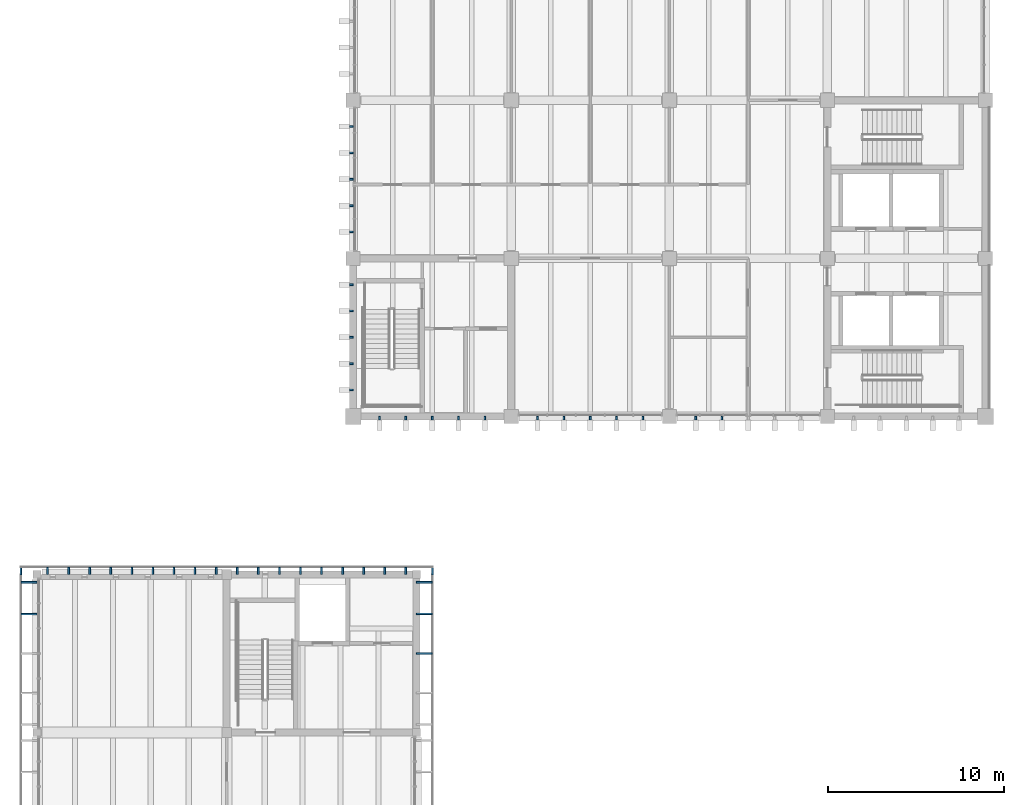
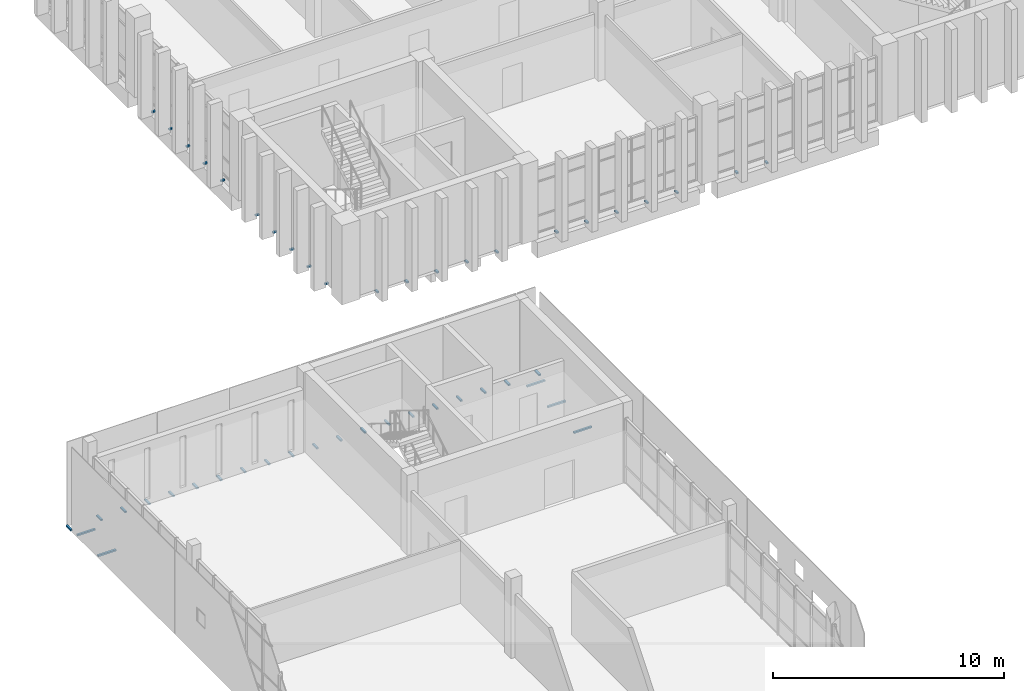
# One storey, part 38 of 50: 47 discrete accessories.
"""IFC4 building model written with IfcOpenShell, lengths in metres."""

import ifcopenshell
import ifcopenshell.guid

model = None  # the IFC model being written
_history = None  # IfcOwnerHistory: only IFC2X3 demands one
_inside = {}  # id of a spatial element -> (the spatial element, [elements in it])
_under = {}  # id of a project, library or spatial element -> (it, [spatial elements below it])
_declared = {}  # id of a project -> (the project, [libraries it declares])
_typed = {}  # id of a type object -> (the type object, [elements of that type])
_made_of = {}  # id of a material, layer set ... -> (it, [elements and type objects made of it])


def new_model(schema):
    """Start an empty IFC model of exactly this schema.

    Asked for "IFC4X3", IfcOpenShell would pick the latest addendum, in which some entities
    have other attributes; the version numbers below select the first issue.
    IFC2X3 requires an IfcOwnerHistory on every rooted entity: one is made here for all.
    """
    global model, _history
    if schema == "IFC4X3":
        model = ifcopenshell.file(schema_version=(4, 3, 0, 0))
    else:
        model = ifcopenshell.file(schema=schema)
    _inside.clear()
    _under.clear()
    _declared.clear()
    _typed.clear()
    _made_of.clear()
    _history = None
    if model.schema == "IFC2X3":
        org = make("IfcOrganization", Name="unknown")
        user = make(
            "IfcPersonAndOrganization",
            ThePerson=make("IfcPerson", FamilyName="unknown"),
            TheOrganization=org,
        )
        app = make(
            "IfcApplication",
            ApplicationDeveloper=org,
            Version="unknown",
            ApplicationFullName="unknown",
            ApplicationIdentifier="unknown",
        )
        _history = make(
            "IfcOwnerHistory",
            OwningUser=user,
            OwningApplication=app,
            ChangeAction="ADDED",
            CreationDate=0,
        )
    return model


def make(cls, **values):
    """One entity of the class cls with the attributes given. An attribute that is None is left unset."""
    return model.create_entity(
        cls, **{name: value for name, value in values.items() if value is not None}
    )


def rooted(cls, **values):
    """An entity with a GlobalId (a new one), such as an element, a storey or a relation."""
    return make(cls, GlobalId=ifcopenshell.guid.new(), OwnerHistory=_history, **values)


def si_unit(unit_type, name, prefix=None):
    """IfcSIUnit, for example si_unit("LENGTHUNIT", "METRE", prefix="MILLI")."""
    return make("IfcSIUnit", UnitType=unit_type, Prefix=prefix, Name=name)


def assignment(units):
    """IfcUnitAssignment: the units of a project."""
    return None if units is None else make("IfcUnitAssignment", Units=units)


def point(xyz):
    """IfcCartesianPoint."""
    return None if xyz is None else make("IfcCartesianPoint", Coordinates=xyz)


def direction(xyz):
    """IfcDirection."""
    return None if xyz is None else make("IfcDirection", DirectionRatios=xyz)


def frame(location, z_axis=None, x_axis=None):
    """IfcAxis2Placement3D, a coordinate frame: its origin and axes. An axis left out is left unset."""
    return make(
        "IfcAxis2Placement3D",
        Location=point(location),
        Axis=direction(z_axis),
        RefDirection=direction(x_axis),
    )


def origin():
    """The frame at (0, 0, 0) with its axes left unset."""
    return frame((0.0, 0.0, 0.0))


def place(relative_to, where):
    """IfcLocalPlacement: puts the frame where relative to a parent placement (None: the world)."""
    return make(
        "IfcLocalPlacement", PlacementRelTo=relative_to, RelativePlacement=where
    )


def context(
    kind, dimensions, precision=None, world=None, true_north=None, identifier=None
):
    """IfcGeometricRepresentationContext, for example the 3D "Model" context."""
    return make(
        "IfcGeometricRepresentationContext",
        ContextIdentifier=identifier,
        ContextType=kind,
        CoordinateSpaceDimension=dimensions,
        Precision=precision,
        WorldCoordinateSystem=world,
        TrueNorth=true_north,
    )


def subcontext(parent, identifier, kind, view, scale=None):
    """IfcGeometricRepresentationSubContext, for example "Body" below "Model"."""
    return make(
        "IfcGeometricRepresentationSubContext",
        ContextIdentifier=identifier,
        ContextType=kind,
        ParentContext=parent,
        TargetScale=scale,
        TargetView=view,
    )


def project(units=None, contexts=None):
    """IfcProject with its units and contexts."""
    return rooted(
        "IfcProject",
        Name="project",
        RepresentationContexts=contexts,
        UnitsInContext=assignment(units),
    )


def spatial(cls, under=None, at=None, **own):
    """A site, building, storey or space (cls), placed at a placement, below another one or the project."""
    s = rooted(cls, ObjectPlacement=at, **own)
    if under is not None:
        _under.setdefault(under.id(), (under, []))[1].append(s)
    return s


def polyline(points):
    """IfcPolyline through the points."""
    return make("IfcPolyline", Points=[point(p) for p in points])


def outline(outer, holes=None, kind="AREA"):
    """IfcArbitraryClosedProfileDef: a profile drawn as a closed curve; with holes, ...WithVoids."""
    if holes is None:
        return make("IfcArbitraryClosedProfileDef", ProfileType=kind, OuterCurve=outer)
    return make(
        "IfcArbitraryProfileDefWithVoids",
        ProfileType=kind,
        OuterCurve=outer,
        InnerCurves=holes,
    )


def extrude(swept, where, along, depth):
    """IfcExtrudedAreaSolid: the profile swept, set in the frame where, extruded along a direction by depth."""
    return make(
        "IfcExtrudedAreaSolid",
        SweptArea=swept,
        Position=where,
        ExtrudedDirection=direction(along),
        Depth=depth,
    )


def shape(context_of_items, identifier, shape_type, items):
    """IfcShapeRepresentation: the items that make up one representation, for example the "Body"."""
    return make(
        "IfcShapeRepresentation",
        ContextOfItems=context_of_items,
        RepresentationIdentifier=identifier,
        RepresentationType=shape_type,
        Items=items,
    )


def source(mapping_origin, context_of_items, identifier, shape_type, items):
    """IfcRepresentationMap: a shape defined once, which mapped items show again and again."""
    return make(
        "IfcRepresentationMap",
        MappingOrigin=mapping_origin,
        MappedRepresentation=shape(context_of_items, identifier, shape_type, items),
    )


def transform(
    local_origin,
    x_axis=None,
    y_axis=None,
    z_axis=None,
    scale=None,
    scale2=None,
    scale3=None,
    uniform=True,
):
    """IfcCartesianTransformationOperator3D, or its non-uniform kind. x_axis, y_axis, z_axis: its Axis1, 2, 3."""
    if uniform:
        return make(
            "IfcCartesianTransformationOperator3D",
            Axis1=direction(x_axis),
            Axis2=direction(y_axis),
            LocalOrigin=point(local_origin),
            Scale=scale,
            Axis3=direction(z_axis),
        )
    return make(
        "IfcCartesianTransformationOperator3DnonUniform",
        Axis1=direction(x_axis),
        Axis2=direction(y_axis),
        LocalOrigin=point(local_origin),
        Scale=scale,
        Axis3=direction(z_axis),
        Scale2=scale2,
        Scale3=scale3,
    )


def mapped(mapping_source, mapping_target):
    """IfcMappedItem: shows the shape of a source again, moved by a transform."""
    return make(
        "IfcMappedItem", MappingSource=mapping_source, MappingTarget=mapping_target
    )


def material(Name=None, Category=None):
    """IfcMaterial."""
    return make("IfcMaterial", Name=Name, Category=Category)


def made_of(thing, what):
    """Note that an element or type object is made of a material, layer set ...; save() writes the relation."""
    if what is not None:
        _made_of.setdefault(what.id(), (what, []))[1].append(thing)
    return thing


def type_object(cls, material=None, **own):
    """A type object (cls), such as IfcWallType, which elements share."""
    return made_of(rooted(cls, **own), material)


def element(
    cls,
    number,
    at=None,
    inside=None,
    cuts=None,
    type_object=None,
    material=None,
    context=None,
    identifier="Body",
    shape_type=None,
    held_by="IfcProductDefinitionShape",
    body=None,
    shapes=None,
    **own,
):
    """One element of the class cls, such as IfcWall. Its Tag is "e" and its number.

    at: its placement. inside: the storey or other place that contains it. cuts: it is an
    opening in that element (IfcRelVoidsElement). A single representation is given by context,
    identifier, shape_type and body (its items); several are given by shapes. held_by: the class
    of the entity that holds the representations. save() writes the other relations.
    """
    e = rooted(cls, Tag="e%d" % number, ObjectPlacement=at, **own)
    if body is not None:
        shapes = [shape(context, identifier, shape_type, body)]
    if shapes is not None:
        e.Representation = make(held_by, Representations=shapes)
    if inside is not None:
        _inside.setdefault(inside.id(), (inside, []))[1].append(e)
    if cuts is not None:
        rooted(
            "IfcRelVoidsElement", RelatingBuildingElement=cuts, RelatedOpeningElement=e
        )
    if type_object is not None:
        _typed.setdefault(type_object.id(), (type_object, []))[1].append(e)
    return made_of(e, material)


def aggregate(whole, parts):
    """IfcRelAggregates: a whole, such as a stair, and the parts it consists of."""
    return rooted("IfcRelAggregates", RelatingObject=whole, RelatedObjects=parts)


def save(model, path):
    """Write the relations noted so far, then the file.

    IfcRelAggregates (storeys below a building ...), IfcRelContainedInSpatialStructure (elements
    in a storey), IfcRelDefinesByType, IfcRelAssociatesMaterial and IfcRelDeclares: one each for
    every whole, place, type object, material and project.
    """
    for whole, parts in _under.values():
        aggregate(whole, parts)
    for where, things in _inside.values():
        rooted(
            "IfcRelContainedInSpatialStructure",
            RelatedElements=things,
            RelatingStructure=where,
        )
    for kind, things in _typed.values():
        rooted("IfcRelDefinesByType", RelatedObjects=things, RelatingType=kind)
    for what, things in _made_of.values():
        rooted("IfcRelAssociatesMaterial", RelatedObjects=things, RelatingMaterial=what)
    for by, libraries in _declared.values():
        rooted("IfcRelDeclares", RelatingContext=by, RelatedDefinitions=libraries)
    model.write(path)


model = new_model("IFC4")

# Units and contexts
model_context = context("Model", 3, precision=1e-05, world=origin(), true_north=direction((0.0, 1.0)))
body_context = subcontext(model_context, "Body", "Model", "MODEL_VIEW")
ifc_project = project(units=[si_unit("LENGTHUNIT", "METRE"), si_unit("AREAUNIT", "SQUARE_METRE"), si_unit("VOLUMEUNIT", "CUBIC_METRE"), si_unit("PLANEANGLEUNIT", "RADIAN"), si_unit("MASSUNIT", "GRAM", prefix="KILO")], contexts=[model_context])

# Site, building, storey
site_placement = place(None, origin())
site = spatial("IfcSite", under=ifc_project, at=site_placement, CompositionType="ELEMENT")
building_placement = place(site_placement, origin())
building = spatial("IfcBuilding", under=site, at=building_placement, Name="Merrow Basin Faculty of Sciences", CompositionType="ELEMENT")
storey_placement = place(building_placement, frame((0.0, 0.0, 18.0)))
storey = spatial("IfcBuildingStorey", under=building, at=storey_placement, Name="L04", CompositionType="ELEMENT", Elevation=18.0)

# Discrete accessories
ifc_material_1 = material(Name="Steel ASTM A572 Gr 50", Category="steel")
discrete_accessory_type_1 = type_object("IfcDiscreteAccessoryType", Name="Steel T bracket 100 x 80", PredefinedType="BRACKET", material=ifc_material_1)
shared_shape_1 = source(origin(), body_context, "Body", "SweptSolid", [
    extrude(outline(polyline([(0.0, 0.0), (0.10009765625, 0.0), (0.10009765625, 0.080078125), (0.0, 0.080078125), (0.0, 0.0)])), origin(), (0.0, 0.0, 1.0), 0.89990234375),
])
for number, where, z_axis, x_axis, name in (
    (1, (-0.89990234375, 130.699951171875, -0.2900390625), (1.0, 0.0, 0.0), (0.0, 1.0, 0.0), "Bracket WL04-08"),
    (2, (-0.89990234375, 132.5, -0.2900390625), (1.0, 0.0, 0.0), (0.0, 1.0, 0.0), "Bracket WL04-08"),
    (3, (22.5, 132.60009765625, -0.2900390625), (-1.0, 0.0, 0.0), (0.0, -1.0, 0.0), "Bracket EL04-08"),
    (4, (22.5, 130.800048828125, -0.2900390625), (-1.0, 0.0, 0.0), (0.0, -1.0, 0.0), "Bracket EL04-08"),
    (5, (22.5, 128.550048828125, -0.2900390625), (-1.0, 0.0, 0.0), (0.0, -1.0, 0.0), "Bracket EL04-08"),
):
    element("IfcDiscreteAccessory", number, at=place(storey_placement, frame(where, z_axis=z_axis, x_axis=x_axis)), inside=storey, type_object=discrete_accessory_type_1, Name=name, PredefinedType="BRACKET", context=body_context, shape_type="MappedRepresentation", body=[
        mapped(shared_shape_1, transform((0.0, 0.0, 0.0), scale=1.0)),
    ])
ifc_material_2 = material(Name="Steel ASTM A572 Gr 50", Category="steel")
discrete_accessory_type_2 = type_object("IfcDiscreteAccessoryType", Name="Steel T bracket 100 x 80 corner", PredefinedType="BRACKET", material=ifc_material_2)
shared_shape_2 = source(origin(), body_context, "Body", "SweptSolid", [
    extrude(outline(polyline([(0.0, 0.0), (0.10009765625, 0.0), (0.10009765625, 0.080078125), (0.0, 0.080078125), (0.0, 0.0)])), origin(), (0.0, 0.0, 1.0), 0.419921875),
])
for number, where, z_axis, x_axis, name in (
    (6, (-0.969970703125, 133.39990234375, -0.2900390625), (0.0, -1.0, 0.0), (1.0, 0.0, 0.0), "End corner bracket NL04-01"),
    (7, (22.469970703125, 133.39990234375, -0.2900390625), (0.0, -1.0, 0.0), (1.0, 0.0, 0.0), "End corner bracket NL04-08"),
):
    element("IfcDiscreteAccessory", number, at=place(storey_placement, frame(where, z_axis=z_axis, x_axis=x_axis)), inside=storey, type_object=discrete_accessory_type_2, Name=name, PredefinedType="BRACKET", context=body_context, shape_type="MappedRepresentation", body=[
        mapped(shared_shape_2, transform((0.0, 0.0, 0.0), scale=1.0)),
    ])
ifc_material_3 = material(Name="Steel ASTM A572 Gr 50", Category="steel")
discrete_accessory_type_3 = type_object("IfcDiscreteAccessoryType", Name="Steel T bracket 100 x 80 short", PredefinedType="BRACKET", material=ifc_material_3)
shared_shape_3 = source(origin(), body_context, "Body", "SweptSolid", [
    extrude(outline(polyline([(0.0, 0.0), (0.10009765625, 0.0), (0.10009765625, 0.080078125), (0.0, 0.080078125), (0.0, 0.0)])), origin(), (0.0, 0.0, 1.0), 0.39990234375),
])
for number, where, z_axis, x_axis, name in (
    (8, (0.550048828125, 133.39990234375, -0.2900390625), (0.0, -1.0, 0.0), (1.0, 0.0, 0.0), "End bracket NL04-02-1"),
    (9, (1.75, 133.39990234375, -0.2900390625), (0.0, -1.0, 0.0), (1.0, 0.0, 0.0), "End bracket NL04-02-2"),
    (10, (2.949951171875, 133.39990234375, -0.2900390625), (0.0, -1.0, 0.0), (1.0, 0.0, 0.0), "End bracket NL04-02-3"),
    (11, (4.14990234375, 133.39990234375, -0.2900390625), (0.0, -1.0, 0.0), (1.0, 0.0, 0.0), "End bracket NL04-03-1"),
    (12, (5.35009765625, 133.39990234375, -0.2900390625), (0.0, -1.0, 0.0), (1.0, 0.0, 0.0), "End bracket NL04-03-2"),
    (13, (6.550048828125, 133.39990234375, -0.2900390625), (0.0, -1.0, 0.0), (1.0, 0.0, 0.0), "End bracket NL04-03-3"),
    (14, (7.75, 133.39990234375, -0.2900390625), (0.0, -1.0, 0.0), (1.0, 0.0, 0.0), "End bracket NL04-04-1"),
    (15, (8.949951171875, 133.39990234375, -0.2900390625), (0.0, -1.0, 0.0), (1.0, 0.0, 0.0), "End bracket NL04-04-2"),
    (16, (10.14990234375, 133.39990234375, -0.2900390625), (0.0, -1.0, 0.0), (1.0, 0.0, 0.0), "End bracket NL04-04-3"),
    (17, (11.35009765625, 133.39990234375, -0.2900390625), (0.0, -1.0, 0.0), (1.0, 0.0, 0.0), "End bracket NL04-05-1"),
    (18, (12.550048828125, 133.39990234375, -0.2900390625), (0.0, -1.0, 0.0), (1.0, 0.0, 0.0), "End bracket NL04-05-2"),
    (19, (13.75, 133.39990234375, -0.2900390625), (0.0, -1.0, 0.0), (1.0, 0.0, 0.0), "End bracket NL04-05-3"),
    (20, (14.949951171875, 133.39990234375, -0.2900390625), (0.0, -1.0, 0.0), (1.0, 0.0, 0.0), "End bracket NL04-06-1"),
    (21, (16.14990234375, 133.39990234375, -0.2900390625), (0.0, -1.0, 0.0), (1.0, 0.0, 0.0), "End bracket NL04-06-2"),
    (22, (17.35009765625, 133.39990234375, -0.2900390625), (0.0, -1.0, 0.0), (1.0, 0.0, 0.0), "End bracket NL04-06-3"),
    (23, (18.550048828125, 133.39990234375, -0.2900390625), (0.0, -1.0, 0.0), (1.0, 0.0, 0.0), "End bracket NL04-07-1"),
    (24, (19.75, 133.39990234375, -0.2900390625), (0.0, -1.0, 0.0), (1.0, 0.0, 0.0), "End bracket NL04-07-2"),
    (25, (20.949951171875, 133.39990234375, -0.2900390625), (0.0, -1.0, 0.0), (1.0, 0.0, 0.0), "End bracket NL04-07-3"),
):
    element("IfcDiscreteAccessory", number, at=place(storey_placement, frame(where, z_axis=z_axis, x_axis=x_axis)), inside=storey, type_object=discrete_accessory_type_3, Name=name, PredefinedType="BRACKET", context=body_context, shape_type="MappedRepresentation", body=[
        mapped(shared_shape_3, transform((0.0, 0.0, 0.0), scale=1.0)),
    ])
ifc_material_4 = material(Name="Steel ASTM A572 Gr 50", Category="steel")
discrete_accessory_type_4 = type_object("IfcDiscreteAccessoryType", Name="Steel T bracket 100 x 80 fin", PredefinedType="BRACKET", material=ifc_material_4)
shared_shape_4 = source(origin(), body_context, "Body", "SweptSolid", [
    extrude(outline(polyline([(0.0, 0.0), (0.10009765625, 0.0), (0.10009765625, 0.080078125), (0.0, 0.080078125), (0.0, 0.0)])), origin(), (0.0, 0.0, 1.0), 0.199951171875),
])
for number, where, z_axis, x_axis, name in (
    (26, (19.449951171875, 142.0, -0.199951171875), (0.0, -1.0, 0.0), (1.0, 0.0, 0.0), "Fin bracket SL04"),
    (27, (20.949951171875, 142.0, -0.199951171875), (0.0, -1.0, 0.0), (1.0, 0.0, 0.0), "Fin bracket SL04"),
    (28, (22.449951171875, 142.0, -0.199951171875), (0.0, -1.0, 0.0), (1.0, 0.0, 0.0), "Fin bracket SL04"),
    (29, (23.949951171875, 142.0, -0.199951171875), (0.0, -1.0, 0.0), (1.0, 0.0, 0.0), "Fin bracket SL04"),
    (30, (25.449951171875, 142.0, -0.199951171875), (0.0, -1.0, 0.0), (1.0, 0.0, 0.0), "Fin bracket SL04"),
    (31, (28.449951171875, 142.0, -0.199951171875), (0.0, -1.0, 0.0), (1.0, 0.0, 0.0), "Fin bracket SL04"),
    (32, (29.949951171875, 142.0, -0.199951171875), (0.0, -1.0, 0.0), (1.0, 0.0, 0.0), "Fin bracket SL04"),
    (33, (31.449951171875, 142.0, -0.199951171875), (0.0, -1.0, 0.0), (1.0, 0.0, 0.0), "Fin bracket SL04"),
    (34, (32.949951171875, 142.0, -0.199951171875), (0.0, -1.0, 0.0), (1.0, 0.0, 0.0), "Fin bracket SL04"),
    (35, (34.449951171875, 142.0, -0.199951171875), (0.0, -1.0, 0.0), (1.0, 0.0, 0.0), "Fin bracket SL04"),
    (36, (37.449951171875, 142.0, -0.199951171875), (0.0, -1.0, 0.0), (1.0, 0.0, 0.0), "Fin bracket SL04"),
    (37, (38.949951171875, 142.0, -0.199951171875), (0.0, -1.0, 0.0), (1.0, 0.0, 0.0), "Fin bracket SL04"),
    (38, (18.0, 143.550048828125, -0.199951171875), (-1.0, 0.0, 0.0), (0.0, -1.0, 0.0), "Fin bracket WL04"),
    (39, (18.0, 145.050048828125, -0.199951171875), (-1.0, 0.0, 0.0), (0.0, -1.0, 0.0), "Fin bracket WL04"),
    (40, (18.0, 146.550048828125, -0.199951171875), (-1.0, 0.0, 0.0), (0.0, -1.0, 0.0), "Fin bracket WL04"),
    (41, (18.0, 148.050048828125, -0.199951171875), (-1.0, 0.0, 0.0), (0.0, -1.0, 0.0), "Fin bracket WL04"),
    (42, (18.0, 149.550048828125, -0.199951171875), (-1.0, 0.0, 0.0), (0.0, -1.0, 0.0), "Fin bracket WL04"),
    (43, (18.0, 152.550048828125, -0.199951171875), (-1.0, 0.0, 0.0), (0.0, -1.0, 0.0), "Fin bracket WL04"),
    (44, (18.0, 154.050048828125, -0.199951171875), (-1.0, 0.0, 0.0), (0.0, -1.0, 0.0), "Fin bracket WL04"),
    (45, (18.0, 155.550048828125, -0.199951171875), (-1.0, 0.0, 0.0), (0.0, -1.0, 0.0), "Fin bracket WL04"),
    (46, (18.0, 157.050048828125, -0.199951171875), (-1.0, 0.0, 0.0), (0.0, -1.0, 0.0), "Fin bracket WL04"),
    (47, (18.0, 158.550048828125, -0.199951171875), (-1.0, 0.0, 0.0), (0.0, -1.0, 0.0), "Fin bracket WL04"),
):
    element("IfcDiscreteAccessory", number, at=place(storey_placement, frame(where, z_axis=z_axis, x_axis=x_axis)), inside=storey, type_object=discrete_accessory_type_4, Name=name, PredefinedType="BRACKET", context=body_context, shape_type="MappedRepresentation", body=[
        mapped(shared_shape_4, transform((0.0, 0.0, 0.0), scale=1.0)),
    ])

save(model, "model.ifc")
